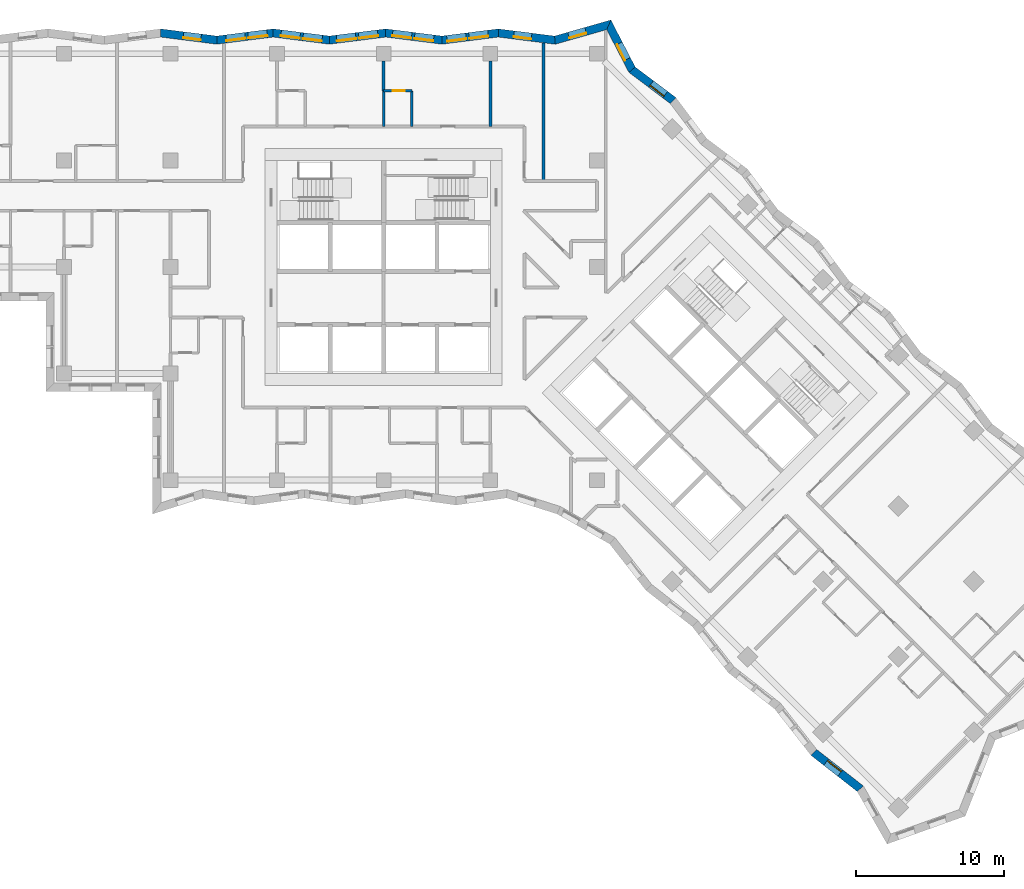
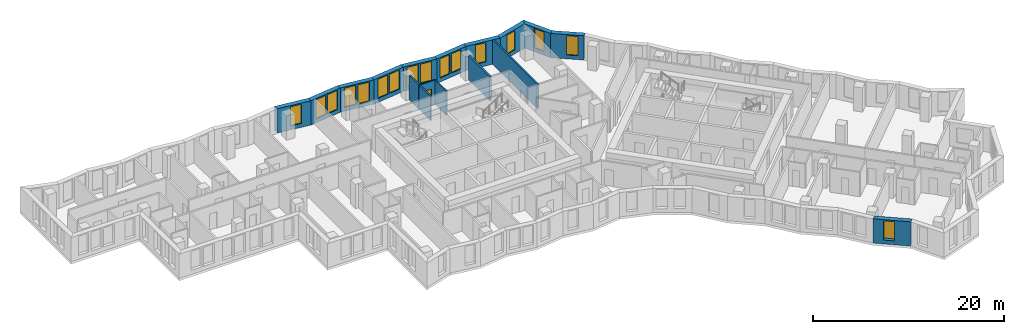
# One storey, part 7 of 13: 17 walls, 16 windows, 1 door, 17 openings.
"""IFC4 building model written with IfcOpenShell, lengths in metres."""

from ifc_helpers import new_model, si_unit, direction, frame, frame_2d, origin, place, context, subcontext, project, spatial, polyline, rectangle, outline, extrude, material, layer, layer_set, type_object, element, fill, save


model = new_model("IFC4")

# Units and contexts
model_context = context("Model", 3, precision=1e-05, world=origin(), true_north=direction((0.0, 1.0)))
body_context = subcontext(model_context, "Body", "Model", "MODEL_VIEW")
ifc_project = project(units=[si_unit("LENGTHUNIT", "METRE"), si_unit("AREAUNIT", "SQUARE_METRE"), si_unit("VOLUMEUNIT", "CUBIC_METRE"), si_unit("PLANEANGLEUNIT", "RADIAN"), si_unit("MASSUNIT", "GRAM", prefix="KILO")], contexts=[model_context])

# Site, building, storey
site_placement = place(None, origin())
site = spatial("IfcSite", under=ifc_project, at=site_placement, CompositionType="ELEMENT")
building_placement = place(site_placement, origin())
building = spatial("IfcBuilding", under=site, at=building_placement, Name="Windrow Commons", CompositionType="ELEMENT")
storey_placement = place(building_placement, frame((0.0, 0.0, 101.6)))
storey = spatial("IfcBuildingStorey", under=building, at=storey_placement, Name="L27", CompositionType="ELEMENT", Elevation=101.6)

# Wall, opening, window
ifc_material_1 = material(Name="Brick masonry, red clay brick", Category="masonry")
ifc_layer_1 = layer(ifc_material_1, 0.55)
ifc_layer_set_1 = layer_set([ifc_layer_1], Name="Brick facade wall 550")
wall_type_1 = type_object("IfcWallType", Name="Brick facade wall 550", PredefinedType="SOLIDWALL", material=ifc_layer_set_1)
wall_1_placement = place(storey_placement, frame((84.3476, 68.8383, 0.0), z_axis=(0.0, 0.0, 1.0), x_axis=(-0.799095991, 0.6012034573, 0.0)))
wall_1 = element("IfcWall", 1, at=wall_1_placement, inside=storey, type_object=wall_type_1, Name="Brick facade wall L27 19", PredefinedType="SOLIDWALL", context=body_context, shape_type="SweptSolid", body=[
    extrude(outline(polyline([(-0.0389, -0.275), (3.4054, -0.275), (3.5306, 0.275), (0.0389, 0.275), (-0.0389, -0.275)])), origin(), (0.0, 0.0, 1.0), 3.1),
])
opening_1_placement = place(wall_1_placement, frame((0.6685, 0.0, 0.5)))
opening_1 = element("IfcOpeningElement", 2, at=opening_1_placement, cuts=wall_1, Name="Opening W7D", PredefinedType="OPENING", context=body_context, shape_type="SweptSolid", body=[
    extrude(rectangle(XDim=1.2, YDim=2.45, at=frame_2d((0.6, 1.225))), frame((0.0, 0.285, 0.0), z_axis=(0.0, -1.0, 0.0), x_axis=(1.0, 0.0, 0.0)), (0.0, 0.0, 1.0), 0.57),
])
ifc_material_2 = material(Name="Clear float glass in anodised aluminium frame", Category="aluminium")
window_type_1 = type_object("IfcWindowType", Name="Window W7 notch 1200x2450", PartitioningType="SINGLE_PANEL", PredefinedType="WINDOW", material=ifc_material_2)
window_1_placement = place(opening_1_placement, origin())
window_1 = element("IfcWindow", 3, at=window_1_placement, inside=storey, type_object=window_type_1, Name="Window L27 19.1", OverallHeight=2.45, OverallWidth=1.2, PartitioningType="SINGLE_PANEL", PredefinedType="WINDOW", context=body_context, shape_type="SweptSolid", body=[
    extrude(rectangle(XDim=1.2, YDim=2.45, at=frame_2d((0.6, 1.225))), frame((0.0, 0.155, 0.0), z_axis=(0.0, -1.0, 0.0), x_axis=(1.0, 0.0, 0.0)), (0.0, 0.0, 1.0), 0.06),
])
fill(opening_1, window_1)

wall_2_placement = place(storey_placement, frame((81.5763, 70.9233, 0.0), z_axis=(0.0, 0.0, 1.0), x_axis=(-0.4601530869, 0.8878395895, 0.0)))
wall_2 = element("IfcWall", 4, at=wall_2_placement, inside=storey, type_object=wall_type_1, Name="Brick facade wall L27 20", PredefinedType="SOLIDWALL", context=body_context, shape_type="SweptSolid", body=[
    extrude(outline(polyline([(0.0626, -0.275), (3.6405, -0.275), (3.1912, 0.275), (-0.0626, 0.275), (0.0626, -0.275)])), origin(), (0.0, 0.0, 1.0), 3.1),
])
opening_2_placement = place(wall_2_placement, frame((0.7808, 0.0, 0.5)))
opening_2 = element("IfcOpeningElement", 5, at=opening_2_placement, cuts=wall_2, Name="Opening W7D", PredefinedType="OPENING", context=body_context, shape_type="SweptSolid", body=[
    extrude(rectangle(XDim=1.2, YDim=2.45, at=frame_2d((0.6, 1.225))), frame((0.0, 0.285, 0.0), z_axis=(0.0, -1.0, 0.0), x_axis=(1.0, 0.0, 0.0)), (0.0, 0.0, 1.0), 0.57),
])
window_2_placement = place(opening_2_placement, origin())
window_2 = element("IfcWindow", 6, at=window_2_placement, inside=storey, type_object=window_type_1, Name="Window L27 20.1", OverallHeight=2.45, OverallWidth=1.2, PartitioningType="SINGLE_PANEL", PredefinedType="WINDOW", context=body_context, shape_type="SweptSolid", body=[
    extrude(rectangle(XDim=1.2, YDim=2.45, at=frame_2d((0.6, 1.225))), frame((0.0, 0.155, 0.0), z_axis=(0.0, -1.0, 0.0), x_axis=(1.0, 0.0, 0.0)), (0.0, 0.0, 1.0), 0.06),
])
fill(opening_2, window_2)

wall_3_placement = place(storey_placement, frame((80.0045, 73.956, 0.0), z_axis=(0.0, 0.0, 1.0), x_axis=(-0.961803656, -0.2737402553, 0.0)))
wall_3 = element("IfcWall", 7, at=wall_3_placement, inside=storey, type_object=wall_type_1, Name="Brick facade wall L27 21", PredefinedType="SOLIDWALL", context=body_context, shape_type="SweptSolid", body=[
    extrude(outline(polyline([(-0.2246, -0.275), (3.728, -0.275), (3.8405, 0.275), (0.2246, 0.275), (-0.2246, -0.275)])), origin(), (0.0, 0.0, 1.0), 3.1),
])
opening_3_placement = place(wall_3_placement, frame((1.6104, 0.0, 0.5)))
opening_3 = element("IfcOpeningElement", 8, at=opening_3_placement, cuts=wall_3, Name="Opening W7D", PredefinedType="OPENING", context=body_context, shape_type="SweptSolid", body=[
    extrude(rectangle(XDim=1.2, YDim=2.45, at=frame_2d((0.6, 1.225))), frame((0.0, 0.285, 0.0), z_axis=(0.0, -1.0, 0.0), x_axis=(1.0, 0.0, 0.0)), (0.0, 0.0, 1.0), 0.57),
])
window_3_placement = place(opening_3_placement, origin())
window_3 = element("IfcWindow", 9, at=window_3_placement, inside=storey, type_object=window_type_1, Name="Window L27 21.1", OverallHeight=2.45, OverallWidth=1.2, PartitioningType="SINGLE_PANEL", PredefinedType="WINDOW", context=body_context, shape_type="SweptSolid", body=[
    extrude(rectangle(XDim=1.2, YDim=2.45, at=frame_2d((0.6, 1.225))), frame((0.0, 0.155, 0.0), z_axis=(0.0, -1.0, 0.0), x_axis=(1.0, 0.0, 0.0)), (0.0, 0.0, 1.0), 0.06),
])
fill(opening_3, window_3)

wall_4_placement = place(storey_placement, frame((76.3648, 72.9201, 0.0), z_axis=(0.0, 0.0, 1.0), x_axis=(-0.9920579561, 0.1257816033, 0.0)))
wall_4 = element("IfcWall", 10, at=wall_4_placement, inside=storey, type_object=wall_type_1, Name="Brick facade wall L27 22", PredefinedType="SOLIDWALL", context=body_context, shape_type="SweptSolid", body=[
    extrude(outline(polyline([(0.0562, -0.275), (3.8884, -0.275), (3.8186, 0.275), (-0.0562, 0.275), (0.0562, -0.275)])), origin(), (0.0, 0.0, 1.0), 3.1),
])
opening_4_placement = place(wall_4_placement, frame((1.5948, 0.0, 0.5)))
opening_4 = element("IfcOpeningElement", 11, at=opening_4_placement, cuts=wall_4, Name="Opening W7D", PredefinedType="OPENING", context=body_context, shape_type="SweptSolid", body=[
    extrude(rectangle(XDim=1.2, YDim=2.45, at=frame_2d((0.6, 1.225))), frame((0.0, 0.285, 0.0), z_axis=(0.0, -1.0, 0.0), x_axis=(1.0, 0.0, 0.0)), (0.0, 0.0, 1.0), 0.57),
])
window_4_placement = place(opening_4_placement, origin())
window_4 = element("IfcWindow", 12, at=window_4_placement, inside=storey, type_object=window_type_1, Name="Window L27 22.1", OverallHeight=2.45, OverallWidth=1.2, PartitioningType="SINGLE_PANEL", PredefinedType="WINDOW", context=body_context, shape_type="SweptSolid", body=[
    extrude(rectangle(XDim=1.2, YDim=2.45, at=frame_2d((0.6, 1.225))), frame((0.0, 0.155, 0.0), z_axis=(0.0, -1.0, 0.0), x_axis=(1.0, 0.0, 0.0)), (0.0, 0.0, 1.0), 0.06),
])
fill(opening_4, window_4)

# Wall, openings, windows
wall_5_placement = place(storey_placement, frame((72.5419, 73.4048, 0.0), z_axis=(0.0, 0.0, 1.0), x_axis=(-0.9920583495, -0.1257785003, 0.0)))
wall_5 = element("IfcWall", 13, at=wall_5_placement, inside=storey, type_object=wall_type_1, Name="Brick facade wall L27 23", PredefinedType="SOLIDWALL", context=body_context, shape_type="SweptSolid", body=[
    extrude(outline(polyline([(-0.0349, -0.275), (3.7973, -0.275), (3.867, 0.275), (0.0349, 0.275), (-0.0349, -0.275)])), origin(), (0.0, 0.0, 1.0), 3.1),
])
opening_5_placement = place(wall_5_placement, frame((0.6892, 0.0, 0.5)))
opening_5 = element("IfcOpeningElement", 14, at=opening_5_placement, cuts=wall_5, Name="Opening W1P", PredefinedType="OPENING", context=body_context, shape_type="SweptSolid", body=[
    extrude(rectangle(XDim=1.3, YDim=2.45, at=frame_2d((0.65, 1.225))), frame((0.0, 0.285, 0.0), z_axis=(0.0, -1.0, 0.0), x_axis=(1.0, 0.0, 0.0)), (0.0, 0.0, 1.0), 0.57),
])
opening_6_placement = place(wall_5_placement, frame((2.1892, 0.0, 0.5)))
opening_6 = element("IfcOpeningElement", 15, at=opening_6_placement, cuts=wall_5, Name="Opening W1P", PredefinedType="OPENING", context=body_context, shape_type="SweptSolid", body=[
    extrude(rectangle(XDim=1.3, YDim=2.45, at=frame_2d((0.65, 1.225))), frame((0.0, 0.285, 0.0), z_axis=(0.0, -1.0, 0.0), x_axis=(1.0, 0.0, 0.0)), (0.0, 0.0, 1.0), 0.57),
])
ifc_material_3 = material(Name="Clear float glass in anodised aluminium frame", Category="aluminium")
window_type_2 = type_object("IfcWindowType", Name="Window W1P pair 1300x2450", PartitioningType="SINGLE_PANEL", PredefinedType="WINDOW", material=ifc_material_3)
window_5_placement = place(opening_5_placement, origin())
window_5 = element("IfcWindow", 16, at=window_5_placement, inside=storey, type_object=window_type_2, Name="Window L27 23.1A", OverallHeight=2.45, OverallWidth=1.3, PartitioningType="SINGLE_PANEL", PredefinedType="WINDOW", context=body_context, shape_type="SweptSolid", body=[
    extrude(rectangle(XDim=1.3, YDim=2.45, at=frame_2d((0.65, 1.225))), frame((0.0, 0.155, 0.0), z_axis=(0.0, -1.0, 0.0), x_axis=(1.0, 0.0, 0.0)), (0.0, 0.0, 1.0), 0.06),
])
fill(opening_5, window_5)
window_6_placement = place(opening_6_placement, origin())
window_6 = element("IfcWindow", 17, at=window_6_placement, inside=storey, type_object=window_type_2, Name="Window L27 23.1B", OverallHeight=2.45, OverallWidth=1.3, PartitioningType="SINGLE_PANEL", PredefinedType="WINDOW", context=body_context, shape_type="SweptSolid", body=[
    extrude(rectangle(XDim=1.3, YDim=2.45, at=frame_2d((0.65, 1.225))), frame((0.0, 0.155, 0.0), z_axis=(0.0, -1.0, 0.0), x_axis=(1.0, 0.0, 0.0)), (0.0, 0.0, 1.0), 0.06),
])
fill(opening_6, window_6)

wall_6_placement = place(storey_placement, frame((68.7402, 72.9228, 0.0), z_axis=(0.0, 0.0, 1.0), x_axis=(-0.9920583495, 0.1257785003, 0.0)))
wall_6 = element("IfcWall", 18, at=wall_6_placement, inside=storey, type_object=wall_type_1, Name="Brick facade wall L27 24", PredefinedType="SOLIDWALL", context=body_context, shape_type="SweptSolid", body=[
    extrude(outline(polyline([(0.0349, -0.275), (3.867, -0.275), (3.7973, 0.275), (-0.0349, 0.275), (0.0349, -0.275)])), origin(), (0.0, 0.0, 1.0), 3.1),
])
opening_7_placement = place(wall_6_placement, frame((0.5701, 0.0, 0.5)))
opening_7 = element("IfcOpeningElement", 19, at=opening_7_placement, cuts=wall_6, Name="Opening W1P", PredefinedType="OPENING", context=body_context, shape_type="SweptSolid", body=[
    extrude(rectangle(XDim=1.3, YDim=2.45, at=frame_2d((0.65, 1.225))), frame((0.0, 0.285, 0.0), z_axis=(0.0, -1.0, 0.0), x_axis=(1.0, 0.0, 0.0)), (0.0, 0.0, 1.0), 0.57),
])
opening_8_placement = place(wall_6_placement, frame((2.0701, 0.0, 0.5)))
opening_8 = element("IfcOpeningElement", 20, at=opening_8_placement, cuts=wall_6, Name="Opening W1P", PredefinedType="OPENING", context=body_context, shape_type="SweptSolid", body=[
    extrude(rectangle(XDim=1.3, YDim=2.45, at=frame_2d((0.65, 1.225))), frame((0.0, 0.285, 0.0), z_axis=(0.0, -1.0, 0.0), x_axis=(1.0, 0.0, 0.0)), (0.0, 0.0, 1.0), 0.57),
])
window_7_placement = place(opening_7_placement, origin())
window_7 = element("IfcWindow", 21, at=window_7_placement, inside=storey, type_object=window_type_2, Name="Window L27 24.1A", OverallHeight=2.45, OverallWidth=1.3, PartitioningType="SINGLE_PANEL", PredefinedType="WINDOW", context=body_context, shape_type="SweptSolid", body=[
    extrude(rectangle(XDim=1.3, YDim=2.45, at=frame_2d((0.65, 1.225))), frame((0.0, 0.155, 0.0), z_axis=(0.0, -1.0, 0.0), x_axis=(1.0, 0.0, 0.0)), (0.0, 0.0, 1.0), 0.06),
])
fill(opening_7, window_7)
window_8_placement = place(opening_8_placement, origin())
window_8 = element("IfcWindow", 22, at=window_8_placement, inside=storey, type_object=window_type_2, Name="Window L27 24.1B", OverallHeight=2.45, OverallWidth=1.3, PartitioningType="SINGLE_PANEL", PredefinedType="WINDOW", context=body_context, shape_type="SweptSolid", body=[
    extrude(rectangle(XDim=1.3, YDim=2.45, at=frame_2d((0.65, 1.225))), frame((0.0, 0.155, 0.0), z_axis=(0.0, -1.0, 0.0), x_axis=(1.0, 0.0, 0.0)), (0.0, 0.0, 1.0), 0.06),
])
fill(opening_8, window_8)

wall_7_placement = place(storey_placement, frame((64.9385, 73.4048, 0.0), z_axis=(0.0, 0.0, 1.0), x_axis=(-0.9920583495, -0.1257785003, 0.0)))
wall_7 = element("IfcWall", 23, at=wall_7_placement, inside=storey, type_object=wall_type_1, Name="Brick facade wall L27 25", PredefinedType="SOLIDWALL", context=body_context, shape_type="SweptSolid", body=[
    extrude(outline(polyline([(-0.0349, -0.275), (3.7973, -0.275), (3.867, 0.275), (0.0349, 0.275), (-0.0349, -0.275)])), origin(), (0.0, 0.0, 1.0), 3.1),
])
opening_9_placement = place(wall_7_placement, frame((0.5335, 0.0, 0.5)))
opening_9 = element("IfcOpeningElement", 24, at=opening_9_placement, cuts=wall_7, Name="Opening W1P", PredefinedType="OPENING", context=body_context, shape_type="SweptSolid", body=[
    extrude(rectangle(XDim=1.3, YDim=2.45, at=frame_2d((0.65, 1.225))), frame((0.0, 0.285, 0.0), z_axis=(0.0, -1.0, 0.0), x_axis=(1.0, 0.0, 0.0)), (0.0, 0.0, 1.0), 0.57),
])
opening_10_placement = place(wall_7_placement, frame((2.0335, 0.0, 0.5)))
opening_10 = element("IfcOpeningElement", 25, at=opening_10_placement, cuts=wall_7, Name="Opening W1P", PredefinedType="OPENING", context=body_context, shape_type="SweptSolid", body=[
    extrude(rectangle(XDim=1.3, YDim=2.45, at=frame_2d((0.65, 1.225))), frame((0.0, 0.285, 0.0), z_axis=(0.0, -1.0, 0.0), x_axis=(1.0, 0.0, 0.0)), (0.0, 0.0, 1.0), 0.57),
])
window_9_placement = place(opening_9_placement, origin())
window_9 = element("IfcWindow", 26, at=window_9_placement, inside=storey, type_object=window_type_2, Name="Window L27 25.1A", OverallHeight=2.45, OverallWidth=1.3, PartitioningType="SINGLE_PANEL", PredefinedType="WINDOW", context=body_context, shape_type="SweptSolid", body=[
    extrude(rectangle(XDim=1.3, YDim=2.45, at=frame_2d((0.65, 1.225))), frame((0.0, 0.155, 0.0), z_axis=(0.0, -1.0, 0.0), x_axis=(1.0, 0.0, 0.0)), (0.0, 0.0, 1.0), 0.06),
])
fill(opening_9, window_9)
window_10_placement = place(opening_10_placement, origin())
window_10 = element("IfcWindow", 27, at=window_10_placement, inside=storey, type_object=window_type_2, Name="Window L27 25.1B", OverallHeight=2.45, OverallWidth=1.3, PartitioningType="SINGLE_PANEL", PredefinedType="WINDOW", context=body_context, shape_type="SweptSolid", body=[
    extrude(rectangle(XDim=1.3, YDim=2.45, at=frame_2d((0.65, 1.225))), frame((0.0, 0.155, 0.0), z_axis=(0.0, -1.0, 0.0), x_axis=(1.0, 0.0, 0.0)), (0.0, 0.0, 1.0), 0.06),
])
fill(opening_10, window_10)

wall_8_placement = place(storey_placement, frame((61.1368, 72.9228, 0.0), z_axis=(0.0, 0.0, 1.0), x_axis=(-0.9920583495, 0.1257785003, 0.0)))
wall_8 = element("IfcWall", 28, at=wall_8_placement, inside=storey, type_object=wall_type_1, Name="Brick facade wall L27 26", PredefinedType="SOLIDWALL", context=body_context, shape_type="SweptSolid", body=[
    extrude(outline(polyline([(0.0349, -0.275), (3.867, -0.275), (3.7973, 0.275), (-0.0349, 0.275), (0.0349, -0.275)])), origin(), (0.0, 0.0, 1.0), 3.1),
])
opening_11_placement = place(wall_8_placement, frame((0.4986, 0.0, 0.5)))
opening_11 = element("IfcOpeningElement", 29, at=opening_11_placement, cuts=wall_8, Name="Opening W1P", PredefinedType="OPENING", context=body_context, shape_type="SweptSolid", body=[
    extrude(rectangle(XDim=1.3, YDim=2.45, at=frame_2d((0.65, 1.225))), frame((0.0, 0.285, 0.0), z_axis=(0.0, -1.0, 0.0), x_axis=(1.0, 0.0, 0.0)), (0.0, 0.0, 1.0), 0.57),
])
opening_12_placement = place(wall_8_placement, frame((1.9986, 0.0, 0.5)))
opening_12 = element("IfcOpeningElement", 30, at=opening_12_placement, cuts=wall_8, Name="Opening W1P", PredefinedType="OPENING", context=body_context, shape_type="SweptSolid", body=[
    extrude(rectangle(XDim=1.3, YDim=2.45, at=frame_2d((0.65, 1.225))), frame((0.0, 0.285, 0.0), z_axis=(0.0, -1.0, 0.0), x_axis=(1.0, 0.0, 0.0)), (0.0, 0.0, 1.0), 0.57),
])
window_11_placement = place(opening_11_placement, origin())
window_11 = element("IfcWindow", 31, at=window_11_placement, inside=storey, type_object=window_type_2, Name="Window L27 26.1A", OverallHeight=2.45, OverallWidth=1.3, PartitioningType="SINGLE_PANEL", PredefinedType="WINDOW", context=body_context, shape_type="SweptSolid", body=[
    extrude(rectangle(XDim=1.3, YDim=2.45, at=frame_2d((0.65, 1.225))), frame((0.0, 0.155, 0.0), z_axis=(0.0, -1.0, 0.0), x_axis=(1.0, 0.0, 0.0)), (0.0, 0.0, 1.0), 0.06),
])
fill(opening_11, window_11)
window_12_placement = place(opening_12_placement, origin())
window_12 = element("IfcWindow", 32, at=window_12_placement, inside=storey, type_object=window_type_2, Name="Window L27 26.1B", OverallHeight=2.45, OverallWidth=1.3, PartitioningType="SINGLE_PANEL", PredefinedType="WINDOW", context=body_context, shape_type="SweptSolid", body=[
    extrude(rectangle(XDim=1.3, YDim=2.45, at=frame_2d((0.65, 1.225))), frame((0.0, 0.155, 0.0), z_axis=(0.0, -1.0, 0.0), x_axis=(1.0, 0.0, 0.0)), (0.0, 0.0, 1.0), 0.06),
])
fill(opening_12, window_12)

wall_9_placement = place(storey_placement, frame((57.3351, 73.4048, 0.0), z_axis=(0.0, 0.0, 1.0), x_axis=(-0.9920587623, -0.1257752442, 0.0)))
wall_9 = element("IfcWall", 33, at=wall_9_placement, inside=storey, type_object=wall_type_1, Name="Brick facade wall L27 27", PredefinedType="SOLIDWALL", context=body_context, shape_type="SweptSolid", body=[
    extrude(outline(polyline([(-0.0349, -0.275), (3.7973, -0.275), (3.867, 0.275), (0.0349, 0.275), (-0.0349, -0.275)])), origin(), (0.0, 0.0, 1.0), 3.1),
])
opening_13_placement = place(wall_9_placement, frame((0.3983, 0.0, 0.5)))
opening_13 = element("IfcOpeningElement", 34, at=opening_13_placement, cuts=wall_9, Name="Opening W1P", PredefinedType="OPENING", context=body_context, shape_type="SweptSolid", body=[
    extrude(rectangle(XDim=1.3, YDim=2.45, at=frame_2d((0.65, 1.225))), frame((0.0, 0.285, 0.0), z_axis=(0.0, -1.0, 0.0), x_axis=(1.0, 0.0, 0.0)), (0.0, 0.0, 1.0), 0.57),
])
opening_14_placement = place(wall_9_placement, frame((1.8983, 0.0, 0.5)))
opening_14 = element("IfcOpeningElement", 35, at=opening_14_placement, cuts=wall_9, Name="Opening W1P", PredefinedType="OPENING", context=body_context, shape_type="SweptSolid", body=[
    extrude(rectangle(XDim=1.3, YDim=2.45, at=frame_2d((0.65, 1.225))), frame((0.0, 0.285, 0.0), z_axis=(0.0, -1.0, 0.0), x_axis=(1.0, 0.0, 0.0)), (0.0, 0.0, 1.0), 0.57),
])
window_13_placement = place(opening_13_placement, origin())
window_13 = element("IfcWindow", 36, at=window_13_placement, inside=storey, type_object=window_type_2, Name="Window L27 27.1A", OverallHeight=2.45, OverallWidth=1.3, PartitioningType="SINGLE_PANEL", PredefinedType="WINDOW", context=body_context, shape_type="SweptSolid", body=[
    extrude(rectangle(XDim=1.3, YDim=2.45, at=frame_2d((0.65, 1.225))), frame((0.0, 0.155, 0.0), z_axis=(0.0, -1.0, 0.0), x_axis=(1.0, 0.0, 0.0)), (0.0, 0.0, 1.0), 0.06),
])
fill(opening_13, window_13)
window_14_placement = place(opening_14_placement, origin())
window_14 = element("IfcWindow", 37, at=window_14_placement, inside=storey, type_object=window_type_2, Name="Window L27 27.1B", OverallHeight=2.45, OverallWidth=1.3, PartitioningType="SINGLE_PANEL", PredefinedType="WINDOW", context=body_context, shape_type="SweptSolid", body=[
    extrude(rectangle(XDim=1.3, YDim=2.45, at=frame_2d((0.65, 1.225))), frame((0.0, 0.155, 0.0), z_axis=(0.0, -1.0, 0.0), x_axis=(1.0, 0.0, 0.0)), (0.0, 0.0, 1.0), 0.06),
])
fill(opening_14, window_14)

# Wall, opening, window
wall_10_placement = place(storey_placement, frame((53.5333, 72.9228, 0.0), z_axis=(0.0, 0.0, 1.0), x_axis=(-0.9920583495, 0.1257785003, 0.0)))
wall_10 = element("IfcWall", 38, at=wall_10_placement, inside=storey, type_object=wall_type_1, Name="Brick facade wall L27 28", PredefinedType="SOLIDWALL", context=body_context, shape_type="SweptSolid", body=[
    extrude(outline(polyline([(0.0349, -0.275), (3.867, -0.275), (3.7973, 0.275), (-0.0349, 0.275), (0.0349, -0.275)])), origin(), (0.0, 0.0, 1.0), 3.1),
])
opening_15_placement = place(wall_10_placement, frame((1.0792, 0.0, 0.5)))
opening_15 = element("IfcOpeningElement", 39, at=opening_15_placement, cuts=wall_10, Name="Opening W7D", PredefinedType="OPENING", context=body_context, shape_type="SweptSolid", body=[
    extrude(rectangle(XDim=1.2, YDim=2.45, at=frame_2d((0.6, 1.225))), frame((0.0, 0.285, 0.0), z_axis=(0.0, -1.0, 0.0), x_axis=(1.0, 0.0, 0.0)), (0.0, 0.0, 1.0), 0.57),
])
window_15_placement = place(opening_15_placement, origin())
window_15 = element("IfcWindow", 40, at=window_15_placement, inside=storey, type_object=window_type_1, Name="Window L27 28.1", OverallHeight=2.45, OverallWidth=1.2, PartitioningType="SINGLE_PANEL", PredefinedType="WINDOW", context=body_context, shape_type="SweptSolid", body=[
    extrude(rectangle(XDim=1.2, YDim=2.45, at=frame_2d((0.6, 1.225))), frame((0.0, 0.155, 0.0), z_axis=(0.0, -1.0, 0.0), x_axis=(1.0, 0.0, 0.0)), (0.0, 0.0, 1.0), 0.06),
])
fill(opening_15, window_15)

wall_11_placement = place(storey_placement, frame((93.8468, 24.8193, 0.0), z_axis=(0.0, 0.0, 1.0), x_axis=(0.7877370809, -0.6160116001, 0.0)))
wall_11 = element("IfcWall", 41, at=wall_11_placement, inside=storey, type_object=wall_type_1, Name="Brick facade wall L27 58", PredefinedType="SOLIDWALL", context=body_context, shape_type="SweptSolid", body=[
    extrude(outline(polyline([(-0.0336, -0.275), (3.9364, -0.275), (4.0449, 0.275), (0.0336, 0.275), (-0.0336, -0.275)])), origin(), (0.0, 0.0, 1.0), 3.1),
])
opening_16_placement = place(wall_11_placement, frame((1.069, 0.0, 0.5)))
opening_16 = element("IfcOpeningElement", 42, at=opening_16_placement, cuts=wall_11, Name="Opening W7D", PredefinedType="OPENING", context=body_context, shape_type="SweptSolid", body=[
    extrude(rectangle(XDim=1.2, YDim=2.45, at=frame_2d((0.6, 1.225))), frame((0.0, 0.285, 0.0), z_axis=(0.0, -1.0, 0.0), x_axis=(1.0, 0.0, 0.0)), (0.0, 0.0, 1.0), 0.57),
])
window_16_placement = place(opening_16_placement, origin())
window_16 = element("IfcWindow", 43, at=window_16_placement, inside=storey, type_object=window_type_1, Name="Window L27 58.1", OverallHeight=2.45, OverallWidth=1.2, PartitioningType="SINGLE_PANEL", PredefinedType="WINDOW", context=body_context, shape_type="SweptSolid", body=[
    extrude(rectangle(XDim=1.2, YDim=2.45, at=frame_2d((0.6, 1.225))), frame((0.0, 0.155, 0.0), z_axis=(0.0, -1.0, 0.0), x_axis=(1.0, 0.0, 0.0)), (0.0, 0.0, 1.0), 0.06),
])
fill(opening_16, window_16)

# Walls
ifc_material_4 = material(Name="Blockwork partition", Category="masonry")
ifc_layer_2 = layer(ifc_material_4, 0.15)
ifc_layer_set_2 = layer_set([ifc_layer_2], Name="IW-ENSUITE-150")
wall_type_2 = type_object("IfcWallType", Name="IW-ENSUITE-150", PredefinedType="PARTITIONING", material=ifc_layer_set_2)
for number, where, z_axis, x_axis, name in (
    (44, (64.8, 67.1, 0.0), (0.0, 0.0, 1.0), (0.0, 1.0, 0.0), "W-L27-W074"),
    (45, (66.7, 67.1, 0.0), (0.0, 0.0, 1.0), (0.0, 1.0, 0.0), "W-L27-W075"),
):
    element("IfcWall", number, at=place(storey_placement, frame(where, z_axis=z_axis, x_axis=x_axis)), inside=storey, type_object=wall_type_2, Name=name, PredefinedType="PARTITIONING", context=body_context, shape_type="SweptSolid", body=[
        extrude(rectangle(XDim=2.4, YDim=0.15, at=frame_2d((1.2, 0.0))), origin(), (0.0, 0.0, 1.0), 3.1),
    ])

# Wall, opening, door
wall_12_placement = place(storey_placement, frame((64.8, 69.5, 0.0), z_axis=(0.0, 0.0, 1.0), x_axis=(1.0, 0.0, 0.0)))
wall_12 = element("IfcWall", 46, at=wall_12_placement, inside=storey, type_object=wall_type_2, Name="W-L27-W120", PredefinedType="PARTITIONING", context=body_context, shape_type="SweptSolid", body=[
    extrude(rectangle(XDim=1.9, YDim=0.15, at=frame_2d((0.95, 0.0))), origin(), (0.0, 0.0, 1.0), 3.1),
])
opening_17_placement = place(wall_12_placement, frame((0.6069, 0.0, 0.0)))
opening_17 = element("IfcOpeningElement", 47, at=opening_17_placement, cuts=wall_12, Name="Opening D208N", PredefinedType="OPENING", context=body_context, shape_type="SweptSolid", body=[
    extrude(rectangle(XDim=0.8, YDim=2.1, at=frame_2d((0.4, 1.05))), frame((0.0, 0.085, 0.0), z_axis=(0.0, -1.0, 0.0), x_axis=(1.0, 0.0, 0.0)), (0.0, 0.0, 1.0), 0.17),
])
ifc_material_5 = material(Name="Timber door leaf", Category="wood")
door_type = type_object("IfcDoorType", Name="DT-ENSUITE-800", OperationType="SINGLE_SWING_LEFT", PredefinedType="DOOR", material=ifc_material_5)
door_placement = place(opening_17_placement, origin())
door = element("IfcDoor", 48, at=door_placement, inside=storey, type_object=door_type, Name="D-L27-D027", OperationType="SINGLE_SWING_RIGHT", OverallHeight=2.1, OverallWidth=0.8, PredefinedType="DOOR", context=body_context, shape_type="SweptSolid", body=[
    extrude(rectangle(XDim=0.8, YDim=2.1, at=frame_2d((0.4, 1.05))), frame((0.0, 0.025, 0.0), z_axis=(0.0, -1.0, 0.0), x_axis=(1.0, 0.0, 0.0)), (0.0, 0.0, 1.0), 0.05),
])
fill(opening_17, door)

# Walls
ifc_material_6 = material(Name="Blockwork partition", Category="masonry")
ifc_layer_3 = layer(ifc_material_6, 0.2)
ifc_layer_set_3 = layer_set([ifc_layer_3], Name="IW-PARTY-200")
wall_type_3 = type_object("IfcWallType", Name="IW-PARTY-200", PredefinedType="PARTITIONING", material=ifc_layer_set_3)
wall_13_placement = place(storey_placement, frame((75.6, 63.4, 0.0), z_axis=(0.0, 0.0, 1.0), x_axis=(0.0, 1.0, 0.0)))
element("IfcWall", 49, at=wall_13_placement, inside=storey, type_object=wall_type_3, Name="W-L27-W014", PredefinedType="PARTITIONING", context=body_context, shape_type="SweptSolid", body=[
    extrude(rectangle(XDim=9.3399, YDim=0.2, at=frame_2d((4.67, 0.0))), origin(), (0.0, 0.0, 1.0), 3.1),
])
wall_14_placement = place(storey_placement, frame((72.0, 67.1, 0.0), z_axis=(0.0, 0.0, 1.0), x_axis=(0.0, 1.0, 0.0)))
element("IfcWall", 50, at=wall_14_placement, inside=storey, type_object=wall_type_3, Name="W-L27-W046", PredefinedType="PARTITIONING", context=body_context, shape_type="SweptSolid", body=[
    extrude(rectangle(XDim=4.4, YDim=0.2, at=frame_2d((2.2, 0.0))), origin(), (0.0, 0.0, 1.0), 3.1),
])
wall_15_placement = place(storey_placement, frame((64.8, 69.5, 0.0), z_axis=(0.0, 0.0, 1.0), x_axis=(0.0, 1.0, 0.0)))
element("IfcWall", 51, at=wall_15_placement, inside=storey, type_object=wall_type_3, Name="W-L27-W108", PredefinedType="PARTITIONING", context=body_context, shape_type="SweptSolid", body=[
    extrude(rectangle(XDim=2.0, YDim=0.2, at=frame_2d((1.0, 0.0))), origin(), (0.0, 0.0, 1.0), 3.1),
])

save(model, "model.ifc")
